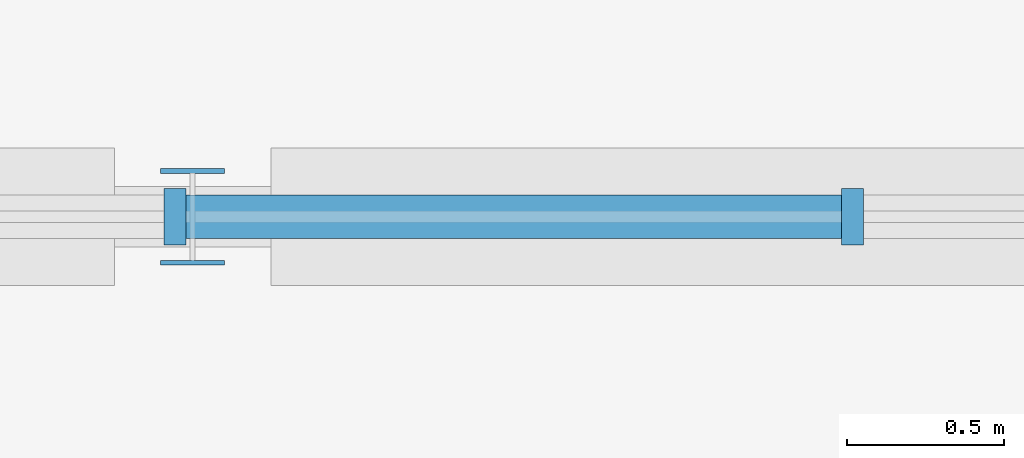
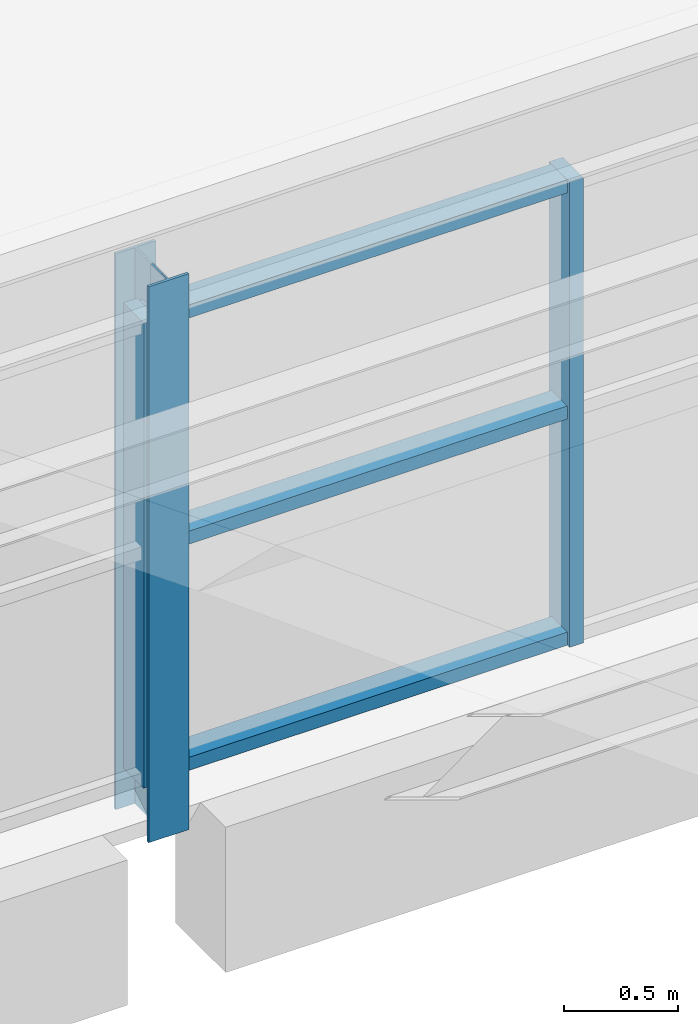
# One storey, part 29 of 92: 6 members, 1 element without a shape of its own.
"""IFC4 building model written with IfcOpenShell, lengths in metres."""

from ifc_helpers import new_model, si_unit, direction, frame, origin, origin_2d, place, context, subcontext, project, spatial, rectangle, i_section, extrude, material, material_profile, profile_set, type_object, element, aggregate, save


model = new_model("IFC4")

# Units and contexts
model_context = context("Model", 3, precision=1e-05, world=origin(), true_north=direction((0.0, 1.0)))
body_context = subcontext(model_context, "Body", "Model", "MODEL_VIEW")
ifc_project = project(units=[si_unit("LENGTHUNIT", "METRE"), si_unit("AREAUNIT", "SQUARE_METRE"), si_unit("VOLUMEUNIT", "CUBIC_METRE"), si_unit("PLANEANGLEUNIT", "RADIAN"), si_unit("MASSUNIT", "GRAM", prefix="KILO")], contexts=[model_context])

# Site, building, storey
site_placement = place(None, origin())
site = spatial("IfcSite", under=ifc_project, at=site_placement, CompositionType="ELEMENT")
building_placement = place(site_placement, origin())
building = spatial("IfcBuilding", under=site, at=building_placement, Name="Ciguamira Faculty of Natural Sciences", CompositionType="ELEMENT")
storey_placement = place(building_placement, frame((0.0, 0.0, 16.800048828125)))
storey = spatial("IfcBuildingStorey", under=building, at=storey_placement, Name="L04", CompositionType="ELEMENT", Elevation=16.800048828125)

# Curtain wall, members
ifc_material_1 = material(Name="Anodized aluminium curtain wall", Category="aluminium")
curtain_wall_type = type_object("IfcCurtainWallType", Name="CurtainWall_CW-03", PredefinedType="USERDEFINED", material=ifc_material_1)
curtain_wall_placement = place(storey_placement, origin())
curtain_wall = element("IfcCurtainWall", 1, at=curtain_wall_placement, inside=storey, type_object=curtain_wall_type, Name="V4 north-light wave 2 clerestory glazing 1", ObjectType="UNITISED CURTAIN WALL", PredefinedType="USERDEFINED")
ifc_material_2 = material(Name="Anodized aluminium mullion", Category="aluminium")
ifc_material_profile_1 = material_profile(ifc_material_2, rectangle(XDim=0.070068359375, YDim=0.179931640625, at=origin_2d()), Name="ALU-MUL-70X180")
ifc_profile_set_1 = profile_set([ifc_material_profile_1], Name="Anodized aluminium mullion")
member_type_1 = type_object("IfcMemberType", Name="CWMullion_CWM-02", PredefinedType="MULLION", material=ifc_profile_set_1)
member_1_placement = place(storey_placement, frame((90.244384765625, 52.0, 0.25), z_axis=(0.0, 0.0, 1.0), x_axis=(1.0, 0.0, 0.0)))
member_1 = element("IfcMember", 2, at=member_1_placement, type_object=member_type_1, Name="CW-03 mullion 16", PredefinedType="MULLION", context=body_context, shape_type="SweptSolid", body=[
    extrude(rectangle(XDim=0.070068359375, YDim=0.179931640625, at=origin_2d()), origin(), (0.0, 0.0, 1.0), 2.5),
])
member_2_placement = place(storey_placement, frame((92.407470703125, 52.0, 0.25), z_axis=(0.0, 0.0, 1.0), x_axis=(1.0, 0.0, 0.0)))
member_2 = element("IfcMember", 3, at=member_2_placement, type_object=member_type_1, Name="CW-03 mullion 17", PredefinedType="MULLION", context=body_context, shape_type="SweptSolid", body=[
    extrude(rectangle(XDim=0.070068359375, YDim=0.179931640625, at=origin_2d()), origin(), (0.0, 0.0, 1.0), 2.5),
])
ifc_material_3 = material(Name="Anodized aluminium transom", Category="aluminium")
ifc_material_profile_2 = material_profile(ifc_material_3, rectangle(XDim=0.070068359375, YDim=0.139892578125, at=origin_2d()), Name="ALU-TRN-70X140")
ifc_profile_set_2 = profile_set([ifc_material_profile_2], Name="Anodized aluminium transom")
member_type_2 = type_object("IfcMemberType", Name="CWTransom_CWT-02", PredefinedType="USERDEFINED", material=ifc_profile_set_2)
member_3_placement = place(storey_placement, frame((90.279541015625, 52.0, 0.284912109375), z_axis=(1.0, 0.0, 0.0), x_axis=(0.0, 0.0, 1.0)))
member_3 = element("IfcMember", 4, at=member_3_placement, type_object=member_type_2, Name="CW-03 transom 16.1", ObjectType="TRANSOM", PredefinedType="USERDEFINED", context=body_context, shape_type="SweptSolid", body=[
    extrude(rectangle(XDim=0.070068359375, YDim=0.139892578125, at=origin_2d()), origin(), (0.0, 0.0, 1.0), 2.0927734375),
])
member_4_placement = place(storey_placement, frame((90.279541015625, 52.0, 1.5), z_axis=(1.0, 0.0, 0.0), x_axis=(0.0, 0.0, 1.0)))
member_4 = element("IfcMember", 5, at=member_4_placement, type_object=member_type_2, Name="CW-03 transom 16.2", ObjectType="TRANSOM", PredefinedType="USERDEFINED", context=body_context, shape_type="SweptSolid", body=[
    extrude(rectangle(XDim=0.070068359375, YDim=0.139892578125, at=origin_2d()), origin(), (0.0, 0.0, 1.0), 2.0927734375),
])
member_5_placement = place(storey_placement, frame((90.279541015625, 52.0, 2.71484375), z_axis=(1.0, 0.0, 0.0), x_axis=(0.0, 0.0, 1.0)))
member_5 = element("IfcMember", 6, at=member_5_placement, type_object=member_type_2, Name="CW-03 transom 16.3", ObjectType="TRANSOM", PredefinedType="USERDEFINED", context=body_context, shape_type="SweptSolid", body=[
    extrude(rectangle(XDim=0.070068359375, YDim=0.139892578125, at=origin_2d()), origin(), (0.0, 0.0, 1.0), 2.0927734375),
])
aggregate(curtain_wall, [member_1, member_2, member_3, member_4, member_5])

# Member
ifc_material_4 = material(Name="Steel ASTM A992 Grade 50", Category="steel")
ifc_material_profile_3 = material_profile(ifc_material_4, i_section(OverallWidth=0.20458984375, OverallDepth=0.307373046875, WebThickness=0.008544921875, FlangeThickness=0.0146484375, at=origin_2d()), Name="W12X45")
ifc_profile_set_3 = profile_set([ifc_material_profile_3], Name="Steel ASTM A992 Grade 50")
member_type_3 = type_object("IfcMemberType", Name="SteelMember_TS-01_W12X45", PredefinedType="STRUT", material=ifc_profile_set_3)
member_6_placement = place(storey_placement, frame((90.300048828125, 52.0, 0.0), z_axis=(0.0, 0.0, 1.0), x_axis=(1.0, 0.0, 0.0)))
element("IfcMember", 7, at=member_6_placement, inside=storey, type_object=member_type_3, Name="V4 north-light wave 2 clerestory post 90", PredefinedType="STRUT", context=body_context, shape_type="SweptSolid", body=[
    extrude(i_section(OverallWidth=0.20458984375, OverallDepth=0.307373046875, WebThickness=0.008544921875, FlangeThickness=0.0146484375, at=origin_2d()), origin(), (0.0, 0.0, 1.0), 2.986328125),
])

save(model, "model.ifc")
